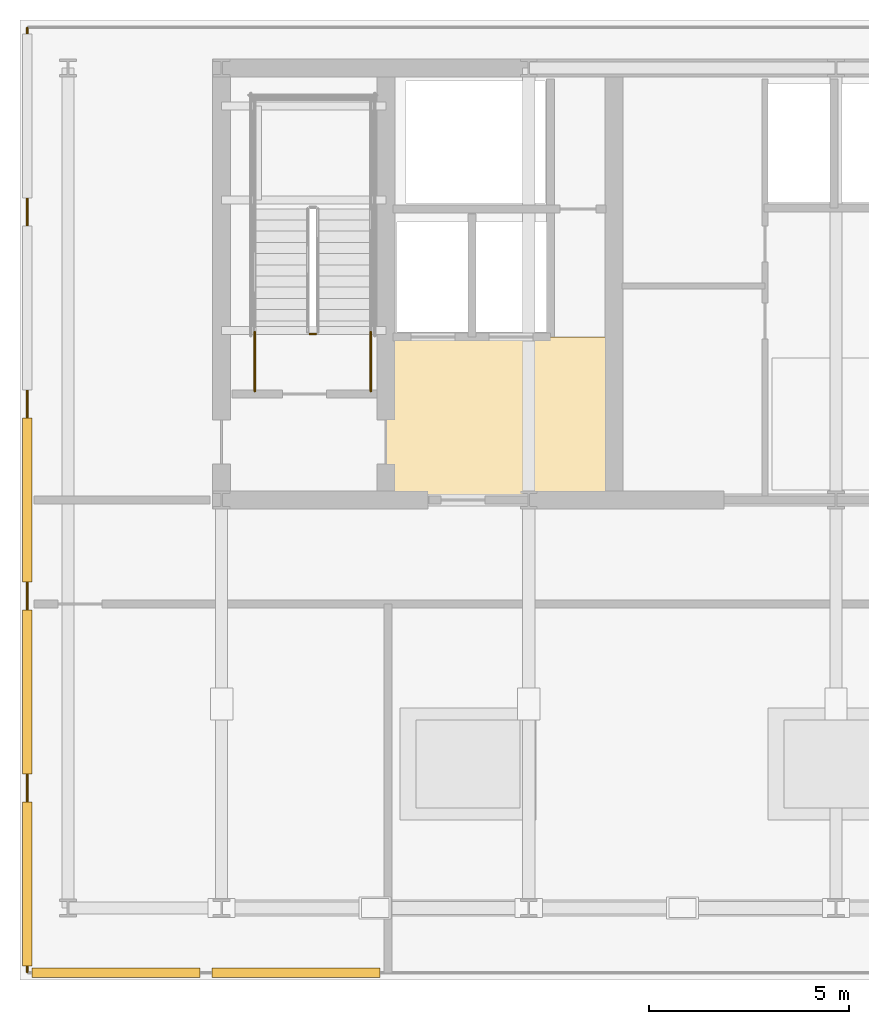
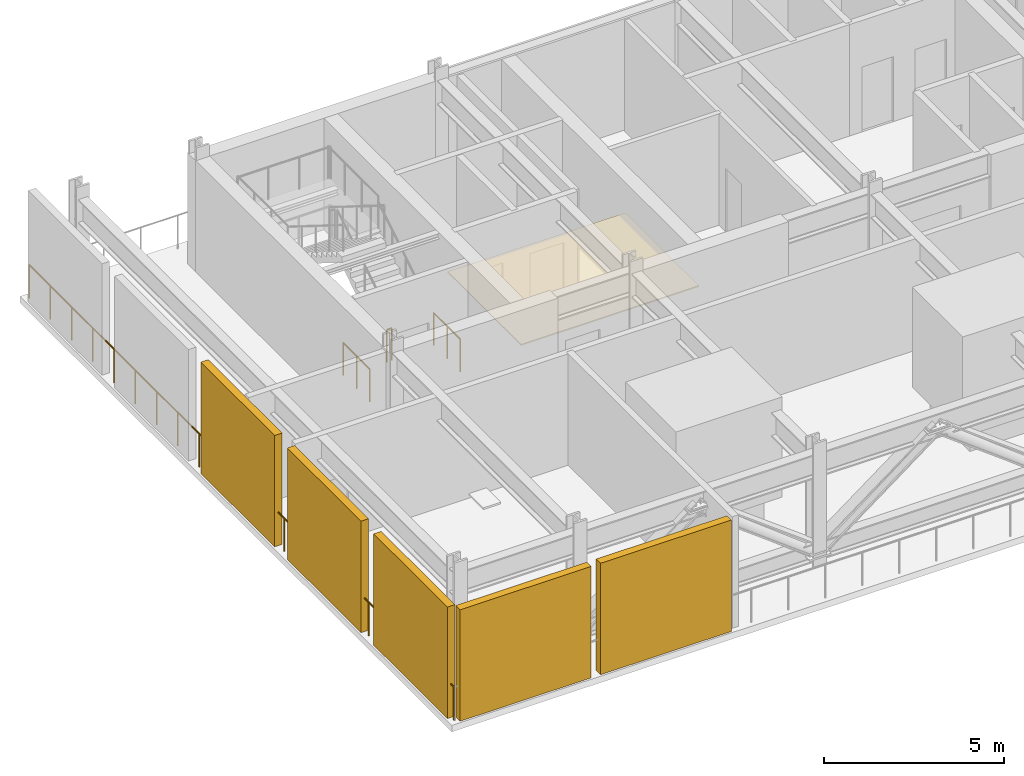
# One storey, part 4 of 8: 5 shading devices, 4 railings, 1 covering.
"""IFC4 building model written with IfcOpenShell, lengths in metres."""

from ifc_helpers import new_model, si_unit, direction, frame, origin, origin_2d, place, context, subcontext, project, spatial, polyline, rectangle, circle, outline, extrude, material, layer, layer_set, type_object, element, save


model = new_model("IFC4")

# Units and contexts
model_context = context("Model", 3, precision=1e-05, world=origin(), true_north=direction((0.0, 1.0)))
body_context = subcontext(model_context, "Body", "Model", "MODEL_VIEW")
ifc_project = project(units=[si_unit("LENGTHUNIT", "METRE"), si_unit("AREAUNIT", "SQUARE_METRE"), si_unit("VOLUMEUNIT", "CUBIC_METRE"), si_unit("PLANEANGLEUNIT", "RADIAN"), si_unit("MASSUNIT", "GRAM", prefix="KILO")], contexts=[model_context])

# Site, building, storey
site_placement = place(None, origin())
site = spatial("IfcSite", under=ifc_project, at=site_placement, CompositionType="ELEMENT")
building_placement = place(site_placement, origin())
building = spatial("IfcBuilding", under=site, at=building_placement, Name="Yelkora Congress Tower", CompositionType="ELEMENT")
storey_placement = place(building_placement, frame((0.0, 0.0, 196.10009765625)))
storey = spatial("IfcBuildingStorey", under=building, at=storey_placement, Name="L54", CompositionType="ELEMENT", Elevation=196.10009765625)

# Covering
ifc_material_1 = material(Name="Perforated mineral-fibre acoustic ceiling", Category="gypsum")
ifc_layer_1 = layer(ifc_material_1, 0.0400390625)
ifc_layer_set_1 = layer_set([ifc_layer_1], Name="Perforated mineral-fibre acoustic ceiling")
covering_type = type_object("IfcCoveringType", Name="COV-CEIL-ACOUSTIC-40", PredefinedType="CEILING", material=ifc_layer_set_1)
covering_placement = place(storey_placement, frame((0.0, 0.0, 2.39990234375)))
element("IfcCovering", 1, at=covering_placement, inside=storey, type_object=covering_type, Name="L54 Firefighting Lobby Acoustic Ceiling", PredefinedType="CEILING", context=body_context, shape_type="SweptSolid", body=[
    extrude(outline(polyline([(27.14990234375, 35.39990234375), (32.85009765625, 35.39990234375), (32.85009765625, 39.47998046875), (27.14990234375, 39.47998046875), (27.14990234375, 35.39990234375)])), origin(), (0.0, 0.0, 1.0), 0.0400390625),
])

# Railings
ifc_material_2 = material(Name="Stainless steel 316L and laminated glass infill", Category="steel")
ifc_layer_2 = layer(ifc_material_2, 0.080078125)
ifc_layer_set_2 = layer_set([ifc_layer_2], Name="Stainless steel 316L and laminated glass infill")
railing_type_1 = type_object("IfcRailingType", Name="RAIL-EXT-GUARD-1150", PredefinedType="GUARDRAIL", material=ifc_layer_set_2)
railing_1_placement = place(storey_placement, frame((18.179931640625, 23.60009765625, 0.0)))
element("IfcRailing", 2, at=railing_1_placement, inside=storey, type_object=railing_type_1, Name="L54 Wind-Floor Perimeter Guardrail W", PredefinedType="GUARDRAIL", context=body_context, shape_type="SweptSolid", body=[
    extrude(circle(Radius=0.02392578125, at=origin_2d()), frame((0.0, 0.0, 1.1259765625), z_axis=(0.0, 1.0, 0.0), x_axis=(-1.0, 0.0, 0.0)), (0.0, 0.0, 1.0), 23.599853515625),
    extrude(circle(Radius=0.02099609375, at=origin_2d()), origin(), (0.0, 0.0, 1.0), 1.101806640625),
    extrude(circle(Radius=0.02099609375, at=origin_2d()), frame((0.0, 1.179931640625, 0.0)), (0.0, 0.0, 1.0), 1.101806640625),
    extrude(circle(Radius=0.02099609375, at=origin_2d()), frame((0.0, 2.35986328125, 0.0)), (0.0, 0.0, 1.0), 1.101806640625),
    extrude(circle(Radius=0.02099609375, at=origin_2d()), frame((0.0, 3.5400390625, 0.0)), (0.0, 0.0, 1.0), 1.101806640625),
    extrude(circle(Radius=0.02099609375, at=origin_2d()), frame((0.0, 4.719970703125, 0.0)), (0.0, 0.0, 1.0), 1.101806640625),
    extrude(circle(Radius=0.02099609375, at=origin_2d()), frame((0.0, 5.89990234375, 0.0)), (0.0, 0.0, 1.0), 1.101806640625),
    extrude(circle(Radius=0.02099609375, at=origin_2d()), frame((0.0, 7.080078125, 0.0)), (0.0, 0.0, 1.0), 1.101806640625),
    extrude(circle(Radius=0.02099609375, at=origin_2d()), frame((0.0, 8.260009765625, 0.0)), (0.0, 0.0, 1.0), 1.101806640625),
    extrude(circle(Radius=0.02099609375, at=origin_2d()), frame((0.0, 9.43994140625, 0.0)), (0.0, 0.0, 1.0), 1.101806640625),
    extrude(circle(Radius=0.02099609375, at=origin_2d()), frame((0.0, 10.619873046875, 0.0)), (0.0, 0.0, 1.0), 1.101806640625),
    extrude(circle(Radius=0.02099609375, at=origin_2d()), frame((0.0, 11.7998046875, 0.0)), (0.0, 0.0, 1.0), 1.101806640625),
    extrude(circle(Radius=0.02099609375, at=origin_2d()), frame((0.0, 12.97998046875, 0.0)), (0.0, 0.0, 1.0), 1.101806640625),
    extrude(circle(Radius=0.02099609375, at=origin_2d()), frame((0.0, 14.159912109375, 0.0)), (0.0, 0.0, 1.0), 1.101806640625),
    extrude(circle(Radius=0.02099609375, at=origin_2d()), frame((0.0, 15.33984375, 0.0)), (0.0, 0.0, 1.0), 1.101806640625),
    extrude(circle(Radius=0.02099609375, at=origin_2d()), frame((0.0, 16.52001953125, 0.0)), (0.0, 0.0, 1.0), 1.101806640625),
    extrude(circle(Radius=0.02099609375, at=origin_2d()), frame((0.0, 17.699951171875, 0.0)), (0.0, 0.0, 1.0), 1.101806640625),
    extrude(circle(Radius=0.02099609375, at=origin_2d()), frame((0.0, 18.8798828125, 0.0)), (0.0, 0.0, 1.0), 1.101806640625),
    extrude(circle(Radius=0.02099609375, at=origin_2d()), frame((0.0, 20.059814453125, 0.0)), (0.0, 0.0, 1.0), 1.101806640625),
    extrude(circle(Radius=0.02099609375, at=origin_2d()), frame((0.0, 21.23974609375, 0.0)), (0.0, 0.0, 1.0), 1.101806640625),
    extrude(circle(Radius=0.02099609375, at=origin_2d()), frame((0.0, 22.419921875, 0.0)), (0.0, 0.0, 1.0), 1.101806640625),
    extrude(circle(Radius=0.02099609375, at=origin_2d()), frame((0.0, 23.599853515625, 0.0)), (0.0, 0.0, 1.0), 1.101806640625),
])
ifc_material_3 = material(Name="Painted galvanised steel stair well guard with vertical infill", Category="steel")
ifc_layer_3 = layer(ifc_material_3, 0.06005859375)
ifc_layer_set_3 = layer_set([ifc_layer_3], Name="Painted galvanised steel stair well guard with vertical infill")
railing_type_2 = type_object("IfcRailingType", Name="RAIL-STAIR-GUARD-1120", PredefinedType="GUARDRAIL", material=ifc_layer_set_3)
railing_2_placement = place(storey_placement, frame((25.39990234375, 39.550048828125, 0.0)))
element("IfcRailing", 3, at=railing_2_placement, inside=storey, type_object=railing_type_2, Name="ST-01 L54 Stair Well Guardrail 7", PredefinedType="GUARDRAIL", context=body_context, shape_type="SweptSolid", body=[
    extrude(circle(Radius=0.02392578125, at=origin_2d()), frame((0.0, 0.0, 1.09619140625), z_axis=(-1.0, 0.0, 0.0), x_axis=(0.0, -1.0, 0.0)), (0.0, 0.0, 1.0), 0.159912109375),
    extrude(circle(Radius=0.02099609375, at=origin_2d()), origin(), (0.0, 0.0, 1.0), 1.072021484375),
    extrude(circle(Radius=0.02099609375, at=origin_2d()), frame((-0.159912109375, 0.0, 0.0)), (0.0, 0.0, 1.0), 1.072021484375),
])
for number, where, name in (
    (4, (26.77001953125, 38.1201171875, 0.0), "ST-01 L54 Stair Well Guardrail 8"),
    (5, (23.8701171875, 38.1201171875, 0.0), "ST-01 L54 Stair Well Guardrail 9"),
):
    element("IfcRailing", number, at=place(storey_placement, frame(where)), inside=storey, type_object=railing_type_2, Name=name, PredefinedType="GUARDRAIL", context=body_context, shape_type="SweptSolid", body=[
        extrude(circle(Radius=0.02392578125, at=origin_2d()), frame((0.0, 0.0, 1.09619140625), z_axis=(0.0, 1.0, 0.0), x_axis=(-1.0, 0.0, 0.0)), (0.0, 0.0, 1.0), 1.47998046875),
        extrude(circle(Radius=0.02099609375, at=origin_2d()), origin(), (0.0, 0.0, 1.0), 1.072021484375),
        extrude(circle(Radius=0.02099609375, at=origin_2d()), frame((0.0, 0.739990234375, 0.0)), (0.0, 0.0, 1.0), 1.072021484375),
        extrude(circle(Radius=0.02099609375, at=origin_2d()), frame((0.0, 1.47998046875, 0.0)), (0.0, 0.0, 1.0), 1.072021484375),
    ])

# Shading devices
ifc_material_4 = material(Name="Perforated anodised aluminium louvre", Category="aluminium")
ifc_layer_4 = layer(ifc_material_4, 3.39990234375)
ifc_layer_set_4 = layer_set([ifc_layer_4], Name="Perforated anodised aluminium louvre")
shading_device_type = type_object("IfcShadingDeviceType", Name="SHD-LOUVRE-WIND", PredefinedType="JALOUSIE", material=ifc_layer_set_4)
for number, where, z_axis, x_axis, name in (
    (6, (18.179931640625, 25.800048828125, 0.0), (0.0, 0.0, 1.0), (1.0, 0.0, 0.0), "L54 Acoustic Wind-Floor Louvre Screen W1"),
    (7, (18.179931640625, 30.60009765625, 0.0), (0.0, 0.0, 1.0), (1.0, 0.0, 0.0), "L54 Acoustic Wind-Floor Louvre Screen W2"),
    (8, (18.179931640625, 35.39990234375, 0.0), (0.0, 0.0, 1.0), (1.0, 0.0, 0.0), "L54 Acoustic Wind-Floor Louvre Screen W3"),
):
    element("IfcShadingDevice", number, at=place(storey_placement, frame(where, z_axis=z_axis, x_axis=x_axis)), inside=storey, type_object=shading_device_type, Name=name, PredefinedType="JALOUSIE", context=body_context, shape_type="SweptSolid", body=[
        extrude(rectangle(XDim=0.239990234375, YDim=4.10009765625, at=origin_2d()), origin(), (0.0, 0.0, 1.0), 3.780029296875),
    ])
for number, where, z_axis, x_axis, name in (
    (9, (20.39990234375, 23.580078125, 0.0), (0.0, 0.0, 1.0), (1.0, 0.0, 0.0), "L54 South Blow-Through Wind Louvre 1"),
    (10, (24.89990234375, 23.580078125, 0.0), (0.0, 0.0, 1.0), (1.0, 0.0, 0.0), "L54 South Blow-Through Wind Louvre 2"),
):
    element("IfcShadingDevice", number, at=place(storey_placement, frame(where, z_axis=z_axis, x_axis=x_axis)), inside=storey, type_object=shading_device_type, Name=name, PredefinedType="JALOUSIE", context=body_context, shape_type="SweptSolid", body=[
        extrude(rectangle(XDim=4.199951171875, YDim=0.239990234375, at=origin_2d()), origin(), (0.0, 0.0, 1.0), 3.780029296875),
    ])

save(model, "model.ifc")
